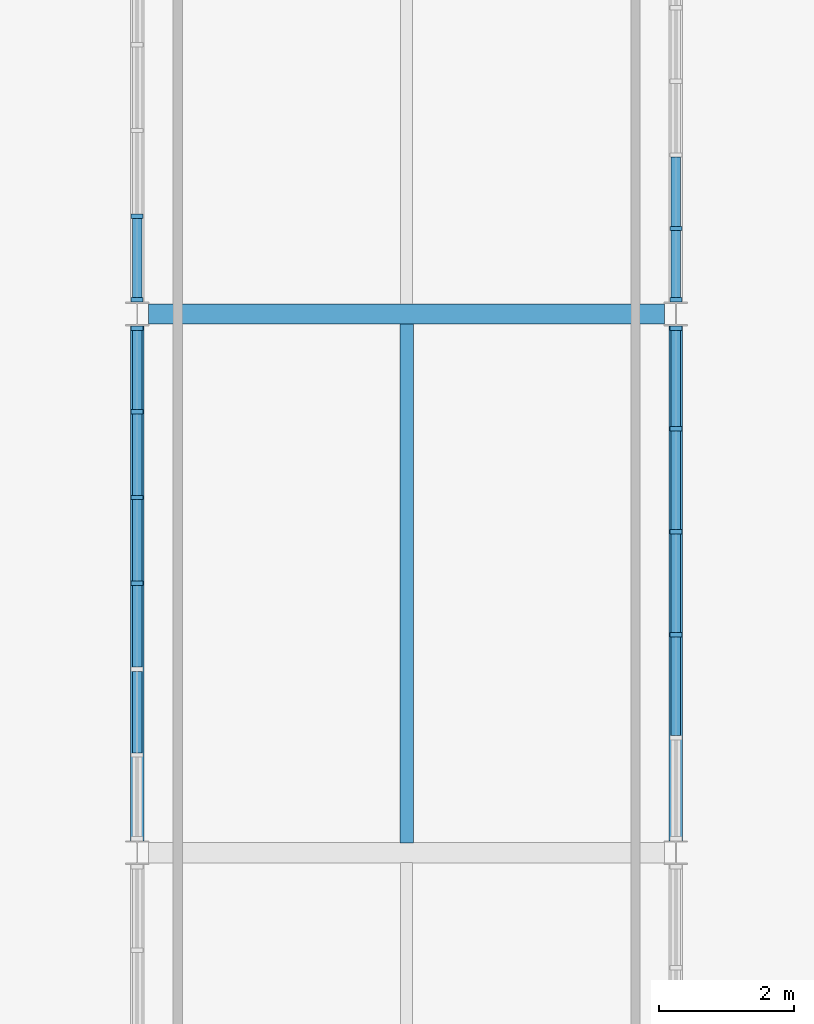
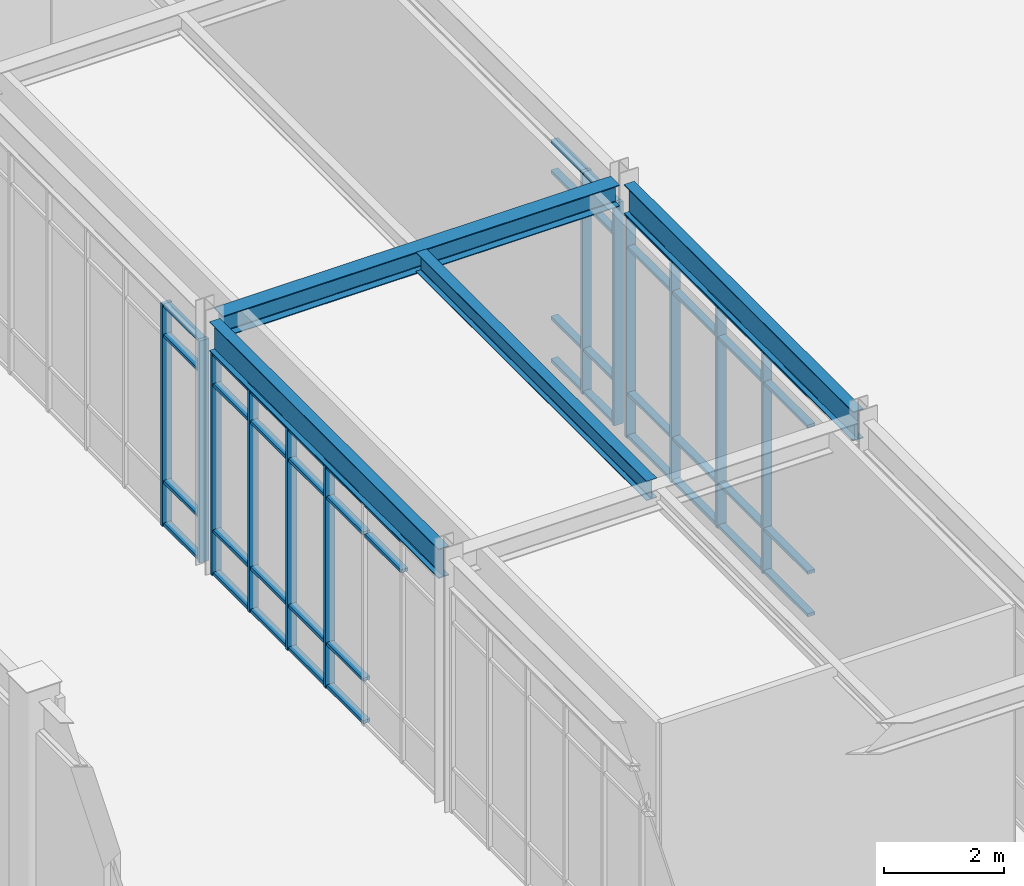
# One storey, part 27 of 119: 58 members, 4 beams, 4 elements without a shape of their own.
"""IFC4 building model written with IfcOpenShell, lengths in metres."""

from ifc_helpers import new_model, si_unit, direction, frame, origin, origin_2d, place, context, subcontext, project, spatial, rectangle, i_section, extrude, material, material_profile, profile_set, type_object, element, aggregate, save


model = new_model("IFC4")

# Units and contexts
model_context = context("Model", 3, precision=1e-05, world=origin(), true_north=direction((0.0, 1.0)))
body_context = subcontext(model_context, "Body", "Model", "MODEL_VIEW")
ifc_project = project(units=[si_unit("LENGTHUNIT", "METRE"), si_unit("AREAUNIT", "SQUARE_METRE"), si_unit("VOLUMEUNIT", "CUBIC_METRE"), si_unit("PLANEANGLEUNIT", "RADIAN"), si_unit("MASSUNIT", "GRAM", prefix="KILO")], contexts=[model_context])

# Site, building, storey
site_placement = place(None, origin())
site = spatial("IfcSite", under=ifc_project, at=site_placement, CompositionType="ELEMENT")
building_placement = place(site_placement, origin())
building = spatial("IfcBuilding", under=site, at=building_placement, Name="Zhaolan Boulevard Law Courts", CompositionType="ELEMENT")
storey_placement = place(building_placement, origin())
storey = spatial("IfcBuildingStorey", under=building, at=storey_placement, Name="L00", CompositionType="ELEMENT", Elevation=0.0)

# Curtain wall, members
ifc_material_1 = material(Name="Thermally broken aluminium and low-E glazing", Category="aluminium")
curtain_wall_type_1 = type_object("IfcCurtainWallType", Name="CURTAIN WALL M13", PredefinedType="USERDEFINED", material=ifc_material_1)
curtain_wall_1_placement = place(storey_placement, origin())
curtain_wall_1 = element("IfcCurtainWall", 1, at=curtain_wall_1_placement, inside=storey, type_object=curtain_wall_type_1, Name="Curtain Wall CW-L00-013", ObjectType="CURTAIN WALL", PredefinedType="USERDEFINED")
ifc_material_2 = material(Name="Fluorocarbon-coated aluminium 6063-T6", Category="aluminium")
ifc_material_profile_1 = material_profile(ifc_material_2, rectangle(XDim=0.179931640625, YDim=0.06494140625, at=origin_2d()), Name="AL65x180")
ifc_profile_set_1 = profile_set([ifc_material_profile_1], Name="Fluorocarbon-coated aluminium 6063-T6")
member_type_1 = type_object("IfcMemberType", Name="CWMULLION 65X180", PredefinedType="MULLION", material=ifc_profile_set_1)
member_1_placement = place(storey_placement, frame((52.0, 45.79052734375, 0.0), z_axis=(0.0, 0.0, 1.0), x_axis=(1.0, 0.0, 0.0)))
member_1 = element("IfcMember", 2, at=member_1_placement, type_object=member_type_1, Name="CW-L00-013 mullion 1", PredefinedType="MULLION", context=body_context, shape_type="SweptSolid", body=[
    extrude(rectangle(XDim=0.179931640625, YDim=0.06494140625, at=origin_2d()), origin(), (0.0, 0.0, 1.0), 4.532958984375),
])
member_2_placement = place(storey_placement, frame((52.0, 44.548583984375, 0.0), z_axis=(0.0, 0.0, 1.0), x_axis=(1.0, 0.0, 0.0)))
member_2 = element("IfcMember", 3, at=member_2_placement, type_object=member_type_1, Name="CW-L00-013 mullion 2", PredefinedType="MULLION", context=body_context, shape_type="SweptSolid", body=[
    extrude(rectangle(XDim=0.179931640625, YDim=0.06494140625, at=origin_2d()), origin(), (0.0, 0.0, 1.0), 4.532958984375),
])
member_3_placement = place(storey_placement, frame((52.0, 43.2744140625, 0.0), z_axis=(0.0, 0.0, 1.0), x_axis=(1.0, 0.0, 0.0)))
member_3 = element("IfcMember", 4, at=member_3_placement, type_object=member_type_1, Name="CW-L00-013 mullion 3", PredefinedType="MULLION", context=body_context, shape_type="SweptSolid", body=[
    extrude(rectangle(XDim=0.179931640625, YDim=0.06494140625, at=origin_2d()), origin(), (0.0, 0.0, 1.0), 4.532958984375),
])
member_4_placement = place(storey_placement, frame((52.0, 42.0, 0.0), z_axis=(0.0, 0.0, 1.0), x_axis=(1.0, 0.0, 0.0)))
member_4 = element("IfcMember", 5, at=member_4_placement, type_object=member_type_1, Name="CW-L00-013 mullion 4", PredefinedType="MULLION", context=body_context, shape_type="SweptSolid", body=[
    extrude(rectangle(XDim=0.179931640625, YDim=0.06494140625, at=origin_2d()), origin(), (0.0, 0.0, 1.0), 4.532958984375),
])

ifc_material_3 = material(Name="Thermally broken aluminium and low-E glazing", Category="aluminium")
curtain_wall_type_2 = type_object("IfcCurtainWallType", Name="CURTAIN WALL M14", PredefinedType="USERDEFINED", material=ifc_material_3)
curtain_wall_2_placement = place(storey_placement, origin())
curtain_wall_2 = element("IfcCurtainWall", 6, at=curtain_wall_2_placement, inside=storey, type_object=curtain_wall_type_2, Name="Curtain Wall CW-L00-014", ObjectType="CURTAIN WALL", PredefinedType="USERDEFINED")
member_5_placement = place(storey_placement, frame((52.0, 47.451416015625, 0.0), z_axis=(0.0, 0.0, 1.0), x_axis=(1.0, 0.0, 0.0)))
member_5 = element("IfcMember", 7, at=member_5_placement, type_object=member_type_1, Name="CW-L00-014 mullion 6", PredefinedType="MULLION", context=body_context, shape_type="SweptSolid", body=[
    extrude(rectangle(XDim=0.179931640625, YDim=0.06494140625, at=origin_2d()), origin(), (0.0, 0.0, 1.0), 4.532958984375),
])
member_6_placement = place(storey_placement, frame((52.0, 46.20947265625, 0.0), z_axis=(0.0, 0.0, 1.0), x_axis=(1.0, 0.0, 0.0)))
member_6 = element("IfcMember", 8, at=member_6_placement, type_object=member_type_1, Name="CW-L00-014 mullion 7", PredefinedType="MULLION", context=body_context, shape_type="SweptSolid", body=[
    extrude(rectangle(XDim=0.179931640625, YDim=0.06494140625, at=origin_2d()), origin(), (0.0, 0.0, 1.0), 4.532958984375),
])

ifc_material_4 = material(Name="Thermally broken aluminium and low-E glazing", Category="aluminium")
curtain_wall_type_3 = type_object("IfcCurtainWallType", Name="CURTAIN WALL M17", PredefinedType="USERDEFINED", material=ifc_material_4)
curtain_wall_3_placement = place(storey_placement, origin())
curtain_wall_3 = element("IfcCurtainWall", 9, at=curtain_wall_3_placement, inside=storey, type_object=curtain_wall_type_3, Name="Curtain Wall CW-L00-017", ObjectType="CURTAIN WALL", PredefinedType="USERDEFINED")
member_7_placement = place(storey_placement, frame((60.0, 41.2353515625, 0.0), z_axis=(0.0, 0.0, 1.0), x_axis=(-1.0, 0.0, 0.0)))
member_7 = element("IfcMember", 10, at=member_7_placement, type_object=member_type_1, Name="CW-L00-017 mullion 3", PredefinedType="MULLION", context=body_context, shape_type="SweptSolid", body=[
    extrude(rectangle(XDim=0.179931640625, YDim=0.06494140625, at=origin_2d()), origin(), (0.0, 0.0, 1.0), 4.532958984375),
])
member_8_placement = place(storey_placement, frame((60.0, 42.7646484375, 0.0), z_axis=(0.0, 0.0, 1.0), x_axis=(-1.0, 0.0, 0.0)))
member_8 = element("IfcMember", 11, at=member_8_placement, type_object=member_type_1, Name="CW-L00-017 mullion 4", PredefinedType="MULLION", context=body_context, shape_type="SweptSolid", body=[
    extrude(rectangle(XDim=0.179931640625, YDim=0.06494140625, at=origin_2d()), origin(), (0.0, 0.0, 1.0), 4.532958984375),
])
member_9_placement = place(storey_placement, frame((60.0, 44.293701171875, 0.0), z_axis=(0.0, 0.0, 1.0), x_axis=(-1.0, 0.0, 0.0)))
member_9 = element("IfcMember", 12, at=member_9_placement, type_object=member_type_1, Name="CW-L00-017 mullion 5", PredefinedType="MULLION", context=body_context, shape_type="SweptSolid", body=[
    extrude(rectangle(XDim=0.179931640625, YDim=0.06494140625, at=origin_2d()), origin(), (0.0, 0.0, 1.0), 4.532958984375),
])
member_10_placement = place(storey_placement, frame((60.0, 45.79052734375, 0.0), z_axis=(0.0, 0.0, 1.0), x_axis=(-1.0, 0.0, 0.0)))
member_10 = element("IfcMember", 13, at=member_10_placement, type_object=member_type_1, Name="CW-L00-017 mullion 6", PredefinedType="MULLION", context=body_context, shape_type="SweptSolid", body=[
    extrude(rectangle(XDim=0.179931640625, YDim=0.06494140625, at=origin_2d()), origin(), (0.0, 0.0, 1.0), 4.532958984375),
])

ifc_material_5 = material(Name="Thermally broken aluminium and low-E glazing", Category="aluminium")
curtain_wall_type_4 = type_object("IfcCurtainWallType", Name="CURTAIN WALL M18", PredefinedType="USERDEFINED", material=ifc_material_5)
curtain_wall_4_placement = place(storey_placement, origin())
curtain_wall_4 = element("IfcCurtainWall", 14, at=curtain_wall_4_placement, inside=storey, type_object=curtain_wall_type_4, Name="Curtain Wall CW-L00-018", ObjectType="CURTAIN WALL", PredefinedType="USERDEFINED")
member_11_placement = place(storey_placement, frame((60.0, 46.20947265625, 0.0), z_axis=(0.0, 0.0, 1.0), x_axis=(-1.0, 0.0, 0.0)))
member_11 = element("IfcMember", 15, at=member_11_placement, type_object=member_type_1, Name="CW-L00-018 mullion 1", PredefinedType="MULLION", context=body_context, shape_type="SweptSolid", body=[
    extrude(rectangle(XDim=0.179931640625, YDim=0.06494140625, at=origin_2d()), origin(), (0.0, 0.0, 1.0), 4.532958984375),
])
member_12_placement = place(storey_placement, frame((60.0, 47.269287109375, 0.0), z_axis=(0.0, 0.0, 1.0), x_axis=(-1.0, 0.0, 0.0)))
member_12 = element("IfcMember", 16, at=member_12_placement, type_object=member_type_1, Name="CW-L00-018 mullion 2", PredefinedType="MULLION", context=body_context, shape_type="SweptSolid", body=[
    extrude(rectangle(XDim=0.179931640625, YDim=0.06494140625, at=origin_2d()), origin(), (0.0, 0.0, 1.0), 4.532958984375),
])

# Member
ifc_material_6 = material(Name="Fluorocarbon-coated aluminium 6063-T6", Category="aluminium")
ifc_material_profile_2 = material_profile(ifc_material_6, rectangle(XDim=0.139892578125, YDim=0.06494140625, at=origin_2d()), Name="AL65x140")
ifc_profile_set_2 = profile_set([ifc_material_profile_2], Name="Fluorocarbon-coated aluminium 6063-T6")
member_type_2 = type_object("IfcMemberType", Name="CWTRANSOM 65X140", PredefinedType="USERDEFINED", material=ifc_profile_set_2)
member_13_placement = place(storey_placement, frame((52.0, 45.758056640625, 0.032470703125), z_axis=(0.0, -1.0, 0.0), x_axis=(1.0, 0.0, 0.0)))
member_13 = element("IfcMember", 17, at=member_13_placement, type_object=member_type_2, Name="CW-L00-013 transom 1.1", ObjectType="TRANSOM", PredefinedType="USERDEFINED", context=body_context, shape_type="SweptSolid", body=[
    extrude(rectangle(XDim=0.139892578125, YDim=0.06494140625, at=origin_2d()), origin(), (0.0, 0.0, 1.0), 1.177001953125),
])

member_14_placement = place(storey_placement, frame((52.0, 45.758056640625, 0.89990234375), z_axis=(0.0, -1.0, 0.0), x_axis=(1.0, 0.0, 0.0)))
member_14 = element("IfcMember", 18, at=member_14_placement, type_object=member_type_2, Name="CW-L00-013 transom 1.2", ObjectType="TRANSOM", PredefinedType="USERDEFINED", context=body_context, shape_type="SweptSolid", body=[
    extrude(rectangle(XDim=0.139892578125, YDim=0.06494140625, at=origin_2d()), origin(), (0.0, 0.0, 1.0), 1.177001953125),
])

member_15_placement = place(storey_placement, frame((52.0, 45.758056640625, 3.883056640625), z_axis=(0.0, -1.0, 0.0), x_axis=(1.0, 0.0, 0.0)))
member_15 = element("IfcMember", 19, at=member_15_placement, type_object=member_type_2, Name="CW-L00-013 transom 1.3", ObjectType="TRANSOM", PredefinedType="USERDEFINED", context=body_context, shape_type="SweptSolid", body=[
    extrude(rectangle(XDim=0.139892578125, YDim=0.06494140625, at=origin_2d()), origin(), (0.0, 0.0, 1.0), 1.177001953125),
])

member_16_placement = place(storey_placement, frame((52.0, 45.758056640625, 4.50048828125), z_axis=(0.0, -1.0, 0.0), x_axis=(1.0, 0.0, 0.0)))
member_16 = element("IfcMember", 20, at=member_16_placement, type_object=member_type_2, Name="CW-L00-013 transom 1.4", ObjectType="TRANSOM", PredefinedType="USERDEFINED", context=body_context, shape_type="SweptSolid", body=[
    extrude(rectangle(XDim=0.139892578125, YDim=0.06494140625, at=origin_2d()), origin(), (0.0, 0.0, 1.0), 1.177001953125),
])

member_17_placement = place(storey_placement, frame((52.0, 44.51611328125, 0.032470703125), z_axis=(0.0, -1.0, 0.0), x_axis=(1.0, 0.0, 0.0)))
member_17 = element("IfcMember", 21, at=member_17_placement, type_object=member_type_2, Name="CW-L00-013 transom 2.1", ObjectType="TRANSOM", PredefinedType="USERDEFINED", context=body_context, shape_type="SweptSolid", body=[
    extrude(rectangle(XDim=0.139892578125, YDim=0.06494140625, at=origin_2d()), origin(), (0.0, 0.0, 1.0), 1.209228515625),
])

member_18_placement = place(storey_placement, frame((52.0, 44.51611328125, 0.89990234375), z_axis=(0.0, -1.0, 0.0), x_axis=(1.0, 0.0, 0.0)))
member_18 = element("IfcMember", 22, at=member_18_placement, type_object=member_type_2, Name="CW-L00-013 transom 2.2", ObjectType="TRANSOM", PredefinedType="USERDEFINED", context=body_context, shape_type="SweptSolid", body=[
    extrude(rectangle(XDim=0.139892578125, YDim=0.06494140625, at=origin_2d()), origin(), (0.0, 0.0, 1.0), 1.209228515625),
])

member_19_placement = place(storey_placement, frame((52.0, 44.51611328125, 3.883056640625), z_axis=(0.0, -1.0, 0.0), x_axis=(1.0, 0.0, 0.0)))
member_19 = element("IfcMember", 23, at=member_19_placement, type_object=member_type_2, Name="CW-L00-013 transom 2.3", ObjectType="TRANSOM", PredefinedType="USERDEFINED", context=body_context, shape_type="SweptSolid", body=[
    extrude(rectangle(XDim=0.139892578125, YDim=0.06494140625, at=origin_2d()), origin(), (0.0, 0.0, 1.0), 1.209228515625),
])

member_20_placement = place(storey_placement, frame((52.0, 44.51611328125, 4.50048828125), z_axis=(0.0, -1.0, 0.0), x_axis=(1.0, 0.0, 0.0)))
member_20 = element("IfcMember", 24, at=member_20_placement, type_object=member_type_2, Name="CW-L00-013 transom 2.4", ObjectType="TRANSOM", PredefinedType="USERDEFINED", context=body_context, shape_type="SweptSolid", body=[
    extrude(rectangle(XDim=0.139892578125, YDim=0.06494140625, at=origin_2d()), origin(), (0.0, 0.0, 1.0), 1.209228515625),
])

member_21_placement = place(storey_placement, frame((52.0, 43.241943359375, 0.032470703125), z_axis=(0.0, -1.0, 0.0), x_axis=(1.0, 0.0, 0.0)))
member_21 = element("IfcMember", 25, at=member_21_placement, type_object=member_type_2, Name="CW-L00-013 transom 3.1", ObjectType="TRANSOM", PredefinedType="USERDEFINED", context=body_context, shape_type="SweptSolid", body=[
    extrude(rectangle(XDim=0.139892578125, YDim=0.06494140625, at=origin_2d()), origin(), (0.0, 0.0, 1.0), 1.20947265625),
])

member_22_placement = place(storey_placement, frame((52.0, 43.241943359375, 0.89990234375), z_axis=(0.0, -1.0, 0.0), x_axis=(1.0, 0.0, 0.0)))
member_22 = element("IfcMember", 26, at=member_22_placement, type_object=member_type_2, Name="CW-L00-013 transom 3.2", ObjectType="TRANSOM", PredefinedType="USERDEFINED", context=body_context, shape_type="SweptSolid", body=[
    extrude(rectangle(XDim=0.139892578125, YDim=0.06494140625, at=origin_2d()), origin(), (0.0, 0.0, 1.0), 1.20947265625),
])

member_23_placement = place(storey_placement, frame((52.0, 43.241943359375, 3.883056640625), z_axis=(0.0, -1.0, 0.0), x_axis=(1.0, 0.0, 0.0)))
member_23 = element("IfcMember", 27, at=member_23_placement, type_object=member_type_2, Name="CW-L00-013 transom 3.3", ObjectType="TRANSOM", PredefinedType="USERDEFINED", context=body_context, shape_type="SweptSolid", body=[
    extrude(rectangle(XDim=0.139892578125, YDim=0.06494140625, at=origin_2d()), origin(), (0.0, 0.0, 1.0), 1.20947265625),
])

member_24_placement = place(storey_placement, frame((52.0, 43.241943359375, 4.50048828125), z_axis=(0.0, -1.0, 0.0), x_axis=(1.0, 0.0, 0.0)))
member_24 = element("IfcMember", 28, at=member_24_placement, type_object=member_type_2, Name="CW-L00-013 transom 3.4", ObjectType="TRANSOM", PredefinedType="USERDEFINED", context=body_context, shape_type="SweptSolid", body=[
    extrude(rectangle(XDim=0.139892578125, YDim=0.06494140625, at=origin_2d()), origin(), (0.0, 0.0, 1.0), 1.20947265625),
])

member_25_placement = place(storey_placement, frame((52.0, 41.967529296875, 0.032470703125), z_axis=(0.0, -1.0, 0.0), x_axis=(1.0, 0.0, 0.0)))
member_25 = element("IfcMember", 29, at=member_25_placement, type_object=member_type_2, Name="CW-L00-013 transom 4.1", ObjectType="TRANSOM", PredefinedType="USERDEFINED", context=body_context, shape_type="SweptSolid", body=[
    extrude(rectangle(XDim=0.139892578125, YDim=0.06494140625, at=origin_2d()), origin(), (0.0, 0.0, 1.0), 1.20947265625),
])

member_26_placement = place(storey_placement, frame((52.0, 41.967529296875, 0.89990234375), z_axis=(0.0, -1.0, 0.0), x_axis=(1.0, 0.0, 0.0)))
member_26 = element("IfcMember", 30, at=member_26_placement, type_object=member_type_2, Name="CW-L00-013 transom 4.2", ObjectType="TRANSOM", PredefinedType="USERDEFINED", context=body_context, shape_type="SweptSolid", body=[
    extrude(rectangle(XDim=0.139892578125, YDim=0.06494140625, at=origin_2d()), origin(), (0.0, 0.0, 1.0), 1.20947265625),
])

member_27_placement = place(storey_placement, frame((52.0, 41.967529296875, 3.883056640625), z_axis=(0.0, -1.0, 0.0), x_axis=(1.0, 0.0, 0.0)))
member_27 = element("IfcMember", 31, at=member_27_placement, type_object=member_type_2, Name="CW-L00-013 transom 4.3", ObjectType="TRANSOM", PredefinedType="USERDEFINED", context=body_context, shape_type="SweptSolid", body=[
    extrude(rectangle(XDim=0.139892578125, YDim=0.06494140625, at=origin_2d()), origin(), (0.0, 0.0, 1.0), 1.20947265625),
])

member_28_placement = place(storey_placement, frame((52.0, 41.967529296875, 4.50048828125), z_axis=(0.0, -1.0, 0.0), x_axis=(1.0, 0.0, 0.0)))
member_28 = element("IfcMember", 32, at=member_28_placement, type_object=member_type_2, Name="CW-L00-013 transom 4.4", ObjectType="TRANSOM", PredefinedType="USERDEFINED", context=body_context, shape_type="SweptSolid", body=[
    extrude(rectangle(XDim=0.139892578125, YDim=0.06494140625, at=origin_2d()), origin(), (0.0, 0.0, 1.0), 1.20947265625),
])

member_29_placement = place(storey_placement, frame((52.0, 40.693115234375, 3.883056640625), z_axis=(0.0, -1.0, 0.0), x_axis=(1.0, 0.0, 0.0)))
member_29 = element("IfcMember", 33, at=member_29_placement, type_object=member_type_2, Name="CW-L00-013 transom 5.3", ObjectType="TRANSOM", PredefinedType="USERDEFINED", context=body_context, shape_type="SweptSolid", body=[
    extrude(rectangle(XDim=0.139892578125, YDim=0.06494140625, at=origin_2d()), origin(), (0.0, 0.0, 1.0), 1.209228515625),
])

member_30_placement = place(storey_placement, frame((52.0, 40.693115234375, 4.50048828125), z_axis=(0.0, -1.0, 0.0), x_axis=(1.0, 0.0, 0.0)))
member_30 = element("IfcMember", 34, at=member_30_placement, type_object=member_type_2, Name="CW-L00-013 transom 5.4", ObjectType="TRANSOM", PredefinedType="USERDEFINED", context=body_context, shape_type="SweptSolid", body=[
    extrude(rectangle(XDim=0.139892578125, YDim=0.06494140625, at=origin_2d()), origin(), (0.0, 0.0, 1.0), 1.209228515625),
])

aggregate(curtain_wall_1, [member_1, member_2, member_3, member_4, member_13, member_14, member_15, member_16, member_17, member_18, member_19, member_20, member_21, member_22, member_23, member_24, member_25, member_26, member_27, member_28, member_29, member_30])

member_31_placement = place(storey_placement, frame((52.0, 47.4189453125, 0.032470703125), z_axis=(0.0, -1.0, 0.0), x_axis=(1.0, 0.0, 0.0)))
member_31 = element("IfcMember", 35, at=member_31_placement, type_object=member_type_2, Name="CW-L00-014 transom 6.1", ObjectType="TRANSOM", PredefinedType="USERDEFINED", context=body_context, shape_type="SweptSolid", body=[
    extrude(rectangle(XDim=0.139892578125, YDim=0.06494140625, at=origin_2d()), origin(), (0.0, 0.0, 1.0), 1.177001953125),
])

member_32_placement = place(storey_placement, frame((52.0, 47.4189453125, 0.89990234375), z_axis=(0.0, -1.0, 0.0), x_axis=(1.0, 0.0, 0.0)))
member_32 = element("IfcMember", 36, at=member_32_placement, type_object=member_type_2, Name="CW-L00-014 transom 6.2", ObjectType="TRANSOM", PredefinedType="USERDEFINED", context=body_context, shape_type="SweptSolid", body=[
    extrude(rectangle(XDim=0.139892578125, YDim=0.06494140625, at=origin_2d()), origin(), (0.0, 0.0, 1.0), 1.177001953125),
])

member_33_placement = place(storey_placement, frame((52.0, 47.4189453125, 3.883056640625), z_axis=(0.0, -1.0, 0.0), x_axis=(1.0, 0.0, 0.0)))
member_33 = element("IfcMember", 37, at=member_33_placement, type_object=member_type_2, Name="CW-L00-014 transom 6.3", ObjectType="TRANSOM", PredefinedType="USERDEFINED", context=body_context, shape_type="SweptSolid", body=[
    extrude(rectangle(XDim=0.139892578125, YDim=0.06494140625, at=origin_2d()), origin(), (0.0, 0.0, 1.0), 1.177001953125),
])

member_34_placement = place(storey_placement, frame((52.0, 47.4189453125, 4.50048828125), z_axis=(0.0, -1.0, 0.0), x_axis=(1.0, 0.0, 0.0)))
member_34 = element("IfcMember", 38, at=member_34_placement, type_object=member_type_2, Name="CW-L00-014 transom 6.4", ObjectType="TRANSOM", PredefinedType="USERDEFINED", context=body_context, shape_type="SweptSolid", body=[
    extrude(rectangle(XDim=0.139892578125, YDim=0.06494140625, at=origin_2d()), origin(), (0.0, 0.0, 1.0), 1.177001953125),
])

aggregate(curtain_wall_2, [member_5, member_6, member_31, member_32, member_33, member_34])

member_35_placement = place(storey_placement, frame((60.0, 39.73876953125, 0.032470703125), z_axis=(0.0, 1.0, 0.0), x_axis=(-1.0, 0.0, 0.0)))
member_35 = element("IfcMember", 39, at=member_35_placement, type_object=member_type_2, Name="CW-L00-017 transom 2.1", ObjectType="TRANSOM", PredefinedType="USERDEFINED", context=body_context, shape_type="SweptSolid", body=[
    extrude(rectangle(XDim=0.139892578125, YDim=0.06494140625, at=origin_2d()), origin(), (0.0, 0.0, 1.0), 1.464111328125),
])

member_36_placement = place(storey_placement, frame((60.0, 39.73876953125, 0.89990234375), z_axis=(0.0, 1.0, 0.0), x_axis=(-1.0, 0.0, 0.0)))
member_36 = element("IfcMember", 40, at=member_36_placement, type_object=member_type_2, Name="CW-L00-017 transom 2.2", ObjectType="TRANSOM", PredefinedType="USERDEFINED", context=body_context, shape_type="SweptSolid", body=[
    extrude(rectangle(XDim=0.139892578125, YDim=0.06494140625, at=origin_2d()), origin(), (0.0, 0.0, 1.0), 1.464111328125),
])

member_37_placement = place(storey_placement, frame((60.0, 39.73876953125, 3.883056640625), z_axis=(0.0, 1.0, 0.0), x_axis=(-1.0, 0.0, 0.0)))
member_37 = element("IfcMember", 41, at=member_37_placement, type_object=member_type_2, Name="CW-L00-017 transom 2.3", ObjectType="TRANSOM", PredefinedType="USERDEFINED", context=body_context, shape_type="SweptSolid", body=[
    extrude(rectangle(XDim=0.139892578125, YDim=0.06494140625, at=origin_2d()), origin(), (0.0, 0.0, 1.0), 1.464111328125),
])

member_38_placement = place(storey_placement, frame((60.0, 39.73876953125, 4.50048828125), z_axis=(0.0, 1.0, 0.0), x_axis=(-1.0, 0.0, 0.0)))
member_38 = element("IfcMember", 42, at=member_38_placement, type_object=member_type_2, Name="CW-L00-017 transom 2.4", ObjectType="TRANSOM", PredefinedType="USERDEFINED", context=body_context, shape_type="SweptSolid", body=[
    extrude(rectangle(XDim=0.139892578125, YDim=0.06494140625, at=origin_2d()), origin(), (0.0, 0.0, 1.0), 1.464111328125),
])

member_39_placement = place(storey_placement, frame((60.0, 41.267822265625, 0.032470703125), z_axis=(0.0, 1.0, 0.0), x_axis=(-1.0, 0.0, 0.0)))
member_39 = element("IfcMember", 43, at=member_39_placement, type_object=member_type_2, Name="CW-L00-017 transom 3.1", ObjectType="TRANSOM", PredefinedType="USERDEFINED", context=body_context, shape_type="SweptSolid", body=[
    extrude(rectangle(XDim=0.139892578125, YDim=0.06494140625, at=origin_2d()), origin(), (0.0, 0.0, 1.0), 1.46435546875),
])

member_40_placement = place(storey_placement, frame((60.0, 41.267822265625, 0.89990234375), z_axis=(0.0, 1.0, 0.0), x_axis=(-1.0, 0.0, 0.0)))
member_40 = element("IfcMember", 44, at=member_40_placement, type_object=member_type_2, Name="CW-L00-017 transom 3.2", ObjectType="TRANSOM", PredefinedType="USERDEFINED", context=body_context, shape_type="SweptSolid", body=[
    extrude(rectangle(XDim=0.139892578125, YDim=0.06494140625, at=origin_2d()), origin(), (0.0, 0.0, 1.0), 1.46435546875),
])

member_41_placement = place(storey_placement, frame((60.0, 41.267822265625, 3.883056640625), z_axis=(0.0, 1.0, 0.0), x_axis=(-1.0, 0.0, 0.0)))
member_41 = element("IfcMember", 45, at=member_41_placement, type_object=member_type_2, Name="CW-L00-017 transom 3.3", ObjectType="TRANSOM", PredefinedType="USERDEFINED", context=body_context, shape_type="SweptSolid", body=[
    extrude(rectangle(XDim=0.139892578125, YDim=0.06494140625, at=origin_2d()), origin(), (0.0, 0.0, 1.0), 1.46435546875),
])

member_42_placement = place(storey_placement, frame((60.0, 41.267822265625, 4.50048828125), z_axis=(0.0, 1.0, 0.0), x_axis=(-1.0, 0.0, 0.0)))
member_42 = element("IfcMember", 46, at=member_42_placement, type_object=member_type_2, Name="CW-L00-017 transom 3.4", ObjectType="TRANSOM", PredefinedType="USERDEFINED", context=body_context, shape_type="SweptSolid", body=[
    extrude(rectangle(XDim=0.139892578125, YDim=0.06494140625, at=origin_2d()), origin(), (0.0, 0.0, 1.0), 1.46435546875),
])

member_43_placement = place(storey_placement, frame((60.0, 42.797119140625, 0.032470703125), z_axis=(0.0, 1.0, 0.0), x_axis=(-1.0, 0.0, 0.0)))
member_43 = element("IfcMember", 47, at=member_43_placement, type_object=member_type_2, Name="CW-L00-017 transom 4.1", ObjectType="TRANSOM", PredefinedType="USERDEFINED", context=body_context, shape_type="SweptSolid", body=[
    extrude(rectangle(XDim=0.139892578125, YDim=0.06494140625, at=origin_2d()), origin(), (0.0, 0.0, 1.0), 1.464111328125),
])

member_44_placement = place(storey_placement, frame((60.0, 42.797119140625, 0.89990234375), z_axis=(0.0, 1.0, 0.0), x_axis=(-1.0, 0.0, 0.0)))
member_44 = element("IfcMember", 48, at=member_44_placement, type_object=member_type_2, Name="CW-L00-017 transom 4.2", ObjectType="TRANSOM", PredefinedType="USERDEFINED", context=body_context, shape_type="SweptSolid", body=[
    extrude(rectangle(XDim=0.139892578125, YDim=0.06494140625, at=origin_2d()), origin(), (0.0, 0.0, 1.0), 1.464111328125),
])

member_45_placement = place(storey_placement, frame((60.0, 42.797119140625, 3.883056640625), z_axis=(0.0, 1.0, 0.0), x_axis=(-1.0, 0.0, 0.0)))
member_45 = element("IfcMember", 49, at=member_45_placement, type_object=member_type_2, Name="CW-L00-017 transom 4.3", ObjectType="TRANSOM", PredefinedType="USERDEFINED", context=body_context, shape_type="SweptSolid", body=[
    extrude(rectangle(XDim=0.139892578125, YDim=0.06494140625, at=origin_2d()), origin(), (0.0, 0.0, 1.0), 1.464111328125),
])

member_46_placement = place(storey_placement, frame((60.0, 42.797119140625, 4.50048828125), z_axis=(0.0, 1.0, 0.0), x_axis=(-1.0, 0.0, 0.0)))
member_46 = element("IfcMember", 50, at=member_46_placement, type_object=member_type_2, Name="CW-L00-017 transom 4.4", ObjectType="TRANSOM", PredefinedType="USERDEFINED", context=body_context, shape_type="SweptSolid", body=[
    extrude(rectangle(XDim=0.139892578125, YDim=0.06494140625, at=origin_2d()), origin(), (0.0, 0.0, 1.0), 1.464111328125),
])

member_47_placement = place(storey_placement, frame((60.0, 44.326416015625, 0.032470703125), z_axis=(0.0, 1.0, 0.0), x_axis=(-1.0, 0.0, 0.0)))
member_47 = element("IfcMember", 51, at=member_47_placement, type_object=member_type_2, Name="CW-L00-017 transom 5.1", ObjectType="TRANSOM", PredefinedType="USERDEFINED", context=body_context, shape_type="SweptSolid", body=[
    extrude(rectangle(XDim=0.139892578125, YDim=0.06494140625, at=origin_2d()), origin(), (0.0, 0.0, 1.0), 1.431640625),
])

member_48_placement = place(storey_placement, frame((60.0, 44.326416015625, 0.89990234375), z_axis=(0.0, 1.0, 0.0), x_axis=(-1.0, 0.0, 0.0)))
member_48 = element("IfcMember", 52, at=member_48_placement, type_object=member_type_2, Name="CW-L00-017 transom 5.2", ObjectType="TRANSOM", PredefinedType="USERDEFINED", context=body_context, shape_type="SweptSolid", body=[
    extrude(rectangle(XDim=0.139892578125, YDim=0.06494140625, at=origin_2d()), origin(), (0.0, 0.0, 1.0), 1.431640625),
])

member_49_placement = place(storey_placement, frame((60.0, 44.326416015625, 3.883056640625), z_axis=(0.0, 1.0, 0.0), x_axis=(-1.0, 0.0, 0.0)))
member_49 = element("IfcMember", 53, at=member_49_placement, type_object=member_type_2, Name="CW-L00-017 transom 5.3", ObjectType="TRANSOM", PredefinedType="USERDEFINED", context=body_context, shape_type="SweptSolid", body=[
    extrude(rectangle(XDim=0.139892578125, YDim=0.06494140625, at=origin_2d()), origin(), (0.0, 0.0, 1.0), 1.431640625),
])

member_50_placement = place(storey_placement, frame((60.0, 44.326416015625, 4.50048828125), z_axis=(0.0, 1.0, 0.0), x_axis=(-1.0, 0.0, 0.0)))
member_50 = element("IfcMember", 54, at=member_50_placement, type_object=member_type_2, Name="CW-L00-017 transom 5.4", ObjectType="TRANSOM", PredefinedType="USERDEFINED", context=body_context, shape_type="SweptSolid", body=[
    extrude(rectangle(XDim=0.139892578125, YDim=0.06494140625, at=origin_2d()), origin(), (0.0, 0.0, 1.0), 1.431640625),
])

aggregate(curtain_wall_3, [member_7, member_8, member_9, member_10, member_35, member_36, member_37, member_38, member_39, member_40, member_41, member_42, member_43, member_44, member_45, member_46, member_47, member_48, member_49, member_50])

member_51_placement = place(storey_placement, frame((60.0, 46.241943359375, 0.032470703125), z_axis=(0.0, 1.0, 0.0), x_axis=(-1.0, 0.0, 0.0)))
member_51 = element("IfcMember", 55, at=member_51_placement, type_object=member_type_2, Name="CW-L00-018 transom 1.1", ObjectType="TRANSOM", PredefinedType="USERDEFINED", context=body_context, shape_type="SweptSolid", body=[
    extrude(rectangle(XDim=0.139892578125, YDim=0.06494140625, at=origin_2d()), origin(), (0.0, 0.0, 1.0), 0.994873046875),
])

member_52_placement = place(storey_placement, frame((60.0, 46.241943359375, 0.89990234375), z_axis=(0.0, 1.0, 0.0), x_axis=(-1.0, 0.0, 0.0)))
member_52 = element("IfcMember", 56, at=member_52_placement, type_object=member_type_2, Name="CW-L00-018 transom 1.2", ObjectType="TRANSOM", PredefinedType="USERDEFINED", context=body_context, shape_type="SweptSolid", body=[
    extrude(rectangle(XDim=0.139892578125, YDim=0.06494140625, at=origin_2d()), origin(), (0.0, 0.0, 1.0), 0.994873046875),
])

member_53_placement = place(storey_placement, frame((60.0, 46.241943359375, 3.883056640625), z_axis=(0.0, 1.0, 0.0), x_axis=(-1.0, 0.0, 0.0)))
member_53 = element("IfcMember", 57, at=member_53_placement, type_object=member_type_2, Name="CW-L00-018 transom 1.3", ObjectType="TRANSOM", PredefinedType="USERDEFINED", context=body_context, shape_type="SweptSolid", body=[
    extrude(rectangle(XDim=0.139892578125, YDim=0.06494140625, at=origin_2d()), origin(), (0.0, 0.0, 1.0), 0.994873046875),
])

member_54_placement = place(storey_placement, frame((60.0, 46.241943359375, 4.50048828125), z_axis=(0.0, 1.0, 0.0), x_axis=(-1.0, 0.0, 0.0)))
member_54 = element("IfcMember", 58, at=member_54_placement, type_object=member_type_2, Name="CW-L00-018 transom 1.4", ObjectType="TRANSOM", PredefinedType="USERDEFINED", context=body_context, shape_type="SweptSolid", body=[
    extrude(rectangle(XDim=0.139892578125, YDim=0.06494140625, at=origin_2d()), origin(), (0.0, 0.0, 1.0), 0.994873046875),
])

member_55_placement = place(storey_placement, frame((60.0, 47.3017578125, 0.032470703125), z_axis=(0.0, 1.0, 0.0), x_axis=(-1.0, 0.0, 0.0)))
member_55 = element("IfcMember", 59, at=member_55_placement, type_object=member_type_2, Name="CW-L00-018 transom 2.1", ObjectType="TRANSOM", PredefinedType="USERDEFINED", context=body_context, shape_type="SweptSolid", body=[
    extrude(rectangle(XDim=0.139892578125, YDim=0.06494140625, at=origin_2d()), origin(), (0.0, 0.0, 1.0), 1.02734375),
])

member_56_placement = place(storey_placement, frame((60.0, 47.3017578125, 0.89990234375), z_axis=(0.0, 1.0, 0.0), x_axis=(-1.0, 0.0, 0.0)))
member_56 = element("IfcMember", 60, at=member_56_placement, type_object=member_type_2, Name="CW-L00-018 transom 2.2", ObjectType="TRANSOM", PredefinedType="USERDEFINED", context=body_context, shape_type="SweptSolid", body=[
    extrude(rectangle(XDim=0.139892578125, YDim=0.06494140625, at=origin_2d()), origin(), (0.0, 0.0, 1.0), 1.02734375),
])

member_57_placement = place(storey_placement, frame((60.0, 47.3017578125, 3.883056640625), z_axis=(0.0, 1.0, 0.0), x_axis=(-1.0, 0.0, 0.0)))
member_57 = element("IfcMember", 61, at=member_57_placement, type_object=member_type_2, Name="CW-L00-018 transom 2.3", ObjectType="TRANSOM", PredefinedType="USERDEFINED", context=body_context, shape_type="SweptSolid", body=[
    extrude(rectangle(XDim=0.139892578125, YDim=0.06494140625, at=origin_2d()), origin(), (0.0, 0.0, 1.0), 1.02734375),
])

member_58_placement = place(storey_placement, frame((60.0, 47.3017578125, 4.50048828125), z_axis=(0.0, 1.0, 0.0), x_axis=(-1.0, 0.0, 0.0)))
member_58 = element("IfcMember", 62, at=member_58_placement, type_object=member_type_2, Name="CW-L00-018 transom 2.4", ObjectType="TRANSOM", PredefinedType="USERDEFINED", context=body_context, shape_type="SweptSolid", body=[
    extrude(rectangle(XDim=0.139892578125, YDim=0.06494140625, at=origin_2d()), origin(), (0.0, 0.0, 1.0), 1.02734375),
])

aggregate(curtain_wall_4, [member_11, member_12, member_51, member_52, member_53, member_54, member_55, member_56, member_57, member_58])

# Beams
ifc_material_7 = material(Name="Structural steel Q355B", Category="steel")
ifc_material_profile_3 = material_profile(ifc_material_7, i_section(OverallWidth=0.300048828125, OverallDepth=0.43994140625, WebThickness=0.010986328125, FlangeThickness=0.01806640625, FilletRadius=0.02001953125, at=origin_2d()), Name="HM440x300")
ifc_profile_set_3 = profile_set([ifc_material_profile_3], Name="Structural steel Q355B")
beam_type_1 = type_object("IfcBeamType", Name="GIRDER HM440", PredefinedType="BEAM", material=ifc_profile_set_3)
beam_1_placement = place(storey_placement, frame((52.1708984375, 46.0, 4.927978515625), z_axis=(1.0, 0.0, 0.0), x_axis=(0.0, 1.0, 0.0)))
element("IfcBeam", 63, at=beam_1_placement, inside=storey, type_object=beam_type_1, Name="Beam BX-L01-7-8-G", PredefinedType="BEAM", context=body_context, shape_type="SweptSolid", body=[
    extrude(i_section(OverallWidth=0.300048828125, OverallDepth=0.43994140625, WebThickness=0.010986328125, FlangeThickness=0.01806640625, FilletRadius=0.02001953125, at=origin_2d()), origin(), (0.0, 0.0, 1.0), 7.658203125),
])
ifc_material_8 = material(Name="Structural steel Q355B", Category="steel")
ifc_material_profile_4 = material_profile(ifc_material_8, i_section(OverallWidth=0.199951171875, OverallDepth=0.60009765625, WebThickness=0.010986328125, FlangeThickness=0.01708984375, FilletRadius=0.02001953125, at=origin_2d()), Name="HN600x200")
ifc_profile_set_4 = profile_set([ifc_material_profile_4], Name="Structural steel Q355B")
beam_type_2 = type_object("IfcBeamType", Name="GIRDER HN600", PredefinedType="BEAM", material=ifc_profile_set_4)
for number, where, z_axis, x_axis, name in (
    (64, (52.0, 38.1708984375, 4.847900390625), (0.0, 1.0, 0.0), (-1.0, 0.0, 0.0), "Beam BY-L01-7-F-G"),
    (65, (60.0, 38.1708984375, 4.847900390625), (0.0, 1.0, 0.0), (-1.0, 0.0, 0.0), "Beam BY-L01-8-F-G"),
):
    element("IfcBeam", number, at=place(storey_placement, frame(where, z_axis=z_axis, x_axis=x_axis)), inside=storey, type_object=beam_type_2, Name=name, PredefinedType="BEAM", context=body_context, shape_type="SweptSolid", body=[
        extrude(i_section(OverallWidth=0.199951171875, OverallDepth=0.60009765625, WebThickness=0.010986328125, FlangeThickness=0.01708984375, FilletRadius=0.02001953125, at=origin_2d()), origin(), (0.0, 0.0, 1.0), 7.658203125),
    ])
ifc_material_9 = material(Name="Structural steel Q355B", Category="steel")
ifc_material_profile_5 = material_profile(ifc_material_9, i_section(OverallWidth=0.199951171875, OverallDepth=0.39990234375, WebThickness=0.008056640625, FlangeThickness=0.012939453125, FilletRadius=0.013916015625, at=origin_2d()), Name="HN400x200")
ifc_profile_set_5 = profile_set([ifc_material_profile_5], Name="Structural steel Q355B")
beam_type_3 = type_object("IfcBeamType", Name="JOIST HN400", PredefinedType="JOIST", material=ifc_profile_set_5)
beam_2_placement = place(storey_placement, frame((56.0, 38.14599609375, 4.947998046875), z_axis=(0.0, 1.0, 0.0), x_axis=(-1.0, 0.0, 0.0)))
element("IfcBeam", 66, at=beam_2_placement, inside=storey, type_object=beam_type_3, Name="Composite Joist J-L01-7F", PredefinedType="JOIST", context=body_context, shape_type="SweptSolid", body=[
    extrude(i_section(OverallWidth=0.199951171875, OverallDepth=0.39990234375, WebThickness=0.008056640625, FlangeThickness=0.012939453125, FilletRadius=0.013916015625, at=origin_2d()), origin(), (0.0, 0.0, 1.0), 7.7080078125),
])

save(model, "model.ifc")
